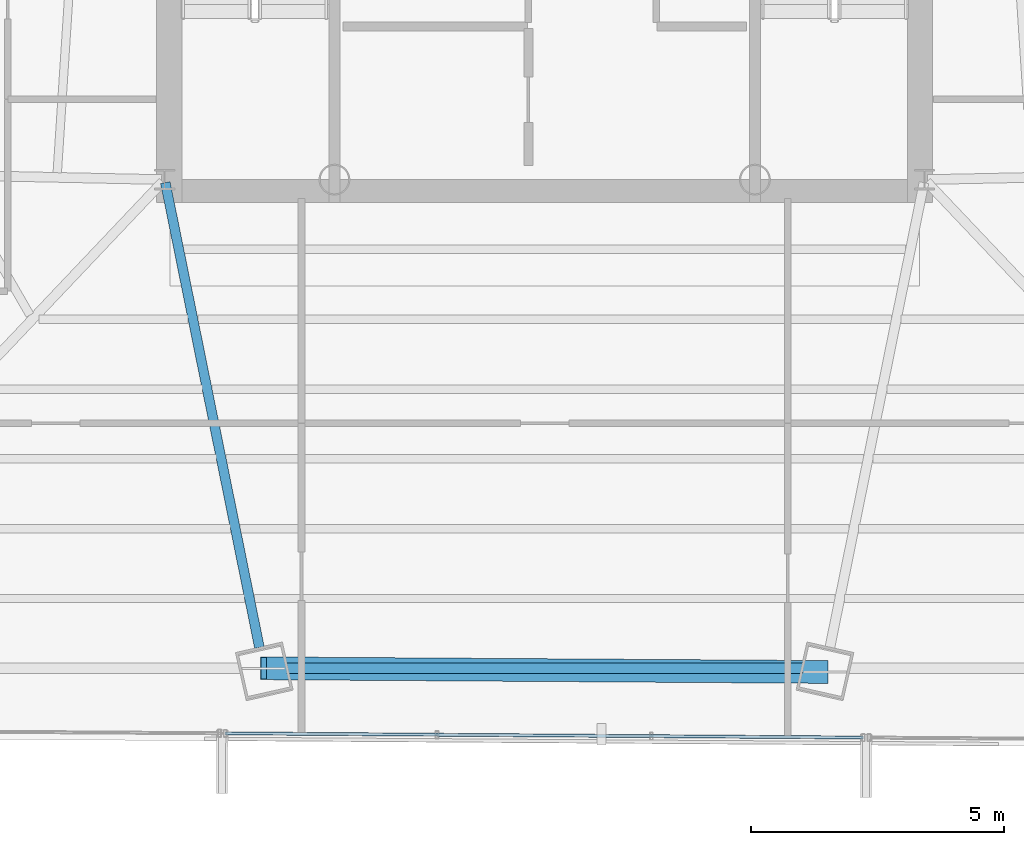
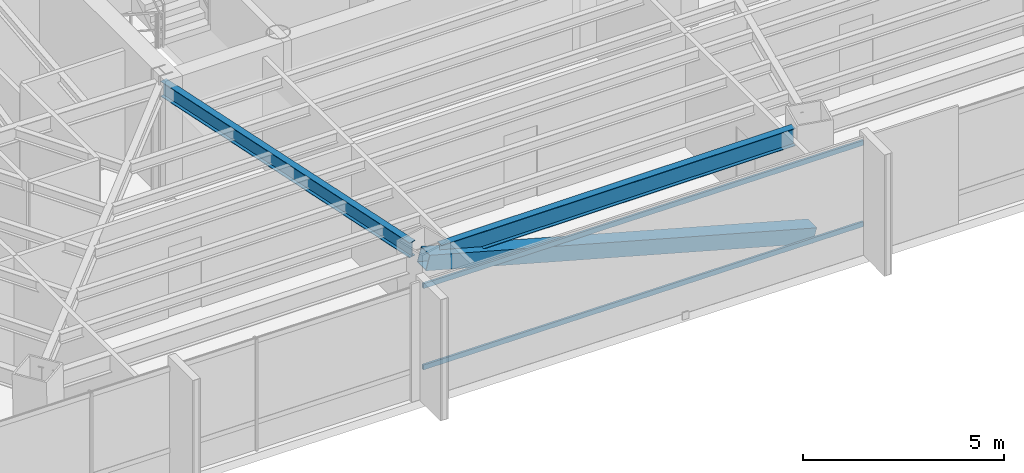
# One storey, part 9 of 41: 3 members, 2 beams, 1 element without a shape of its own.
"""IFC4 building model written with IfcOpenShell, lengths in metres."""

from ifc_helpers import new_model, si_unit, direction, frame, origin, origin_2d, place, context, subcontext, project, spatial, hollow_rectangle, i_section, extrude, source, transform, mapped, material, material_profile, profile_set, type_object, type_shapes, element, aggregate, save


model = new_model("IFC4")

# Units and contexts
model_context = context("Model", 3, precision=1e-05, world=origin(), true_north=direction((0.0, 1.0)))
body_context = subcontext(model_context, "Body", "Model", "MODEL_VIEW")
ifc_project = project(units=[si_unit("LENGTHUNIT", "METRE"), si_unit("AREAUNIT", "SQUARE_METRE"), si_unit("VOLUMEUNIT", "CUBIC_METRE"), si_unit("PLANEANGLEUNIT", "RADIAN"), si_unit("MASSUNIT", "GRAM", prefix="KILO")], contexts=[model_context])

# Site, building, storey
site_placement = place(None, origin())
site = spatial("IfcSite", under=ifc_project, at=site_placement, CompositionType="ELEMENT")
building_placement = place(site_placement, origin())
building = spatial("IfcBuilding", under=site, at=building_placement, Name="Caelisora Broadcast Tower", CompositionType="ELEMENT")
storey_placement = place(building_placement, frame((0.0, 0.0, 173.10009765625)))
storey = spatial("IfcBuildingStorey", under=building, at=storey_placement, Name="L45", CompositionType="ELEMENT", Elevation=173.10009765625)

# Beams
ifc_material_1 = material(Name="Steel Grade 350 (AS/NZS 3679.1)", Category="steel")
ifc_material_profile_1 = material_profile(ifc_material_1, i_section(OverallWidth=0.208984375, OverallDepth=0.532958984375, WebThickness=0.01025390625, FlangeThickness=0.015625, at=origin_2d()), Name="Steel Grade 350 (AS/NZS 3679.1)")
ifc_profile_set_1 = profile_set([ifc_material_profile_1], Name="Steel Grade 350 (AS/NZS 3679.1)")
beam_type_1 = type_object("IfcBeamType", Name="PG05", PredefinedType="BEAM", material=ifc_profile_set_1)
shared_shape_1 = source(origin(), body_context, "Body", "SweptSolid", [
    extrude(i_section(OverallWidth=0.208984375, OverallDepth=0.532958984375, WebThickness=0.01025390625, FlangeThickness=0.015625, at=origin_2d()), origin(), (0.0, 0.0, 1.0), 10.173828125),
])
type_shapes(beam_type_1, [shared_shape_1])
beam_1_placement = place(storey_placement, frame((32.9130859375, 7.75439453125, 3.13330078125), z_axis=(1.0, 0.0, 0.0), x_axis=(0.0, 1.0, 0.0)))
element("IfcBeam", 1, at=beam_1_placement, inside=storey, type_object=beam_type_1, Name="L45 beam PG05", PredefinedType="BEAM", context=body_context, shape_type="MappedRepresentation", body=[
    mapped(shared_shape_1, transform((0.0, 0.0, 0.0), scale=1.0)),
])
ifc_material_profile_2 = material_profile(ifc_material_1, i_section(OverallWidth=0.19091796875, OverallDepth=0.46044921875, WebThickness=0.010009765625, FlangeThickness=0.01611328125, at=origin_2d()), Name="Steel Grade 350 (AS/NZS 3679.1)")
ifc_profile_set_2 = profile_set([ifc_material_profile_2], Name="Steel Grade 350 (AS/NZS 3679.1)")
beam_type_2 = type_object("IfcBeamType", Name="PG06", PredefinedType="BEAM", material=ifc_profile_set_2)
shared_shape_2 = source(origin(), body_context, "Body", "SweptSolid", [
    extrude(i_section(OverallWidth=0.19091796875, OverallDepth=0.46044921875, WebThickness=0.010009765625, FlangeThickness=0.01611328125, at=origin_2d()), origin(), (0.0, 0.0, 1.0), 9.361572265625),
])
type_shapes(beam_type_2, [shared_shape_2])
beam_2_placement = place(storey_placement, frame((30.511962890625, 17.34130859375, 3.169677734375), z_axis=(0.198437648999, -0.980113513558, 0.0), x_axis=(0.980113513558, 0.198437648999, 0.0)))
element("IfcBeam", 2, at=beam_2_placement, inside=storey, type_object=beam_type_2, Name="L45 beam PG06", PredefinedType="BEAM", context=body_context, shape_type="MappedRepresentation", body=[
    mapped(shared_shape_2, transform((0.0, 0.0, 0.0), scale=1.0)),
])

# Member
ifc_material_2 = material(Name="Steel Grade 450 (AS/NZS 1163 C450L0)", Category="steel")
ifc_material_profile_3 = material_profile(ifc_material_2, hollow_rectangle(XDim=0.449951171875, YDim=0.449951171875, WallThickness=0.01611328125, at=origin_2d()), Name="Steel Grade 450 (AS/NZS 1163 C450L0)")
ifc_profile_set_3 = profile_set([ifc_material_profile_3], Name="Steel Grade 450 (AS/NZS 1163 C450L0)")
member_type_1 = type_object("IfcMemberType", Name="BR03", PredefinedType="BRACE", material=ifc_profile_set_3)
shared_shape_3 = source(origin(), body_context, "Body", "SweptSolid", [
    extrude(hollow_rectangle(XDim=0.449951171875, YDim=0.449951171875, WallThickness=0.01611328125, at=origin_2d()), origin(), (0.0, 0.0, 1.0), 11.47705078125),
])
type_shapes(member_type_1, [shared_shape_3])
member_1_placement = place(storey_placement, frame((32.452880859375, 7.75439453125, 3.099853515625), z_axis=(0.965212811353, -0.006317756583, -0.261389201673), x_axis=(0.006545314337, 0.999978579201, 0.0)))
element("IfcMember", 3, at=member_1_placement, inside=storey, type_object=member_type_1, Name="L45 perimeter brace BR03", PredefinedType="BRACE", context=body_context, shape_type="MappedRepresentation", body=[
    mapped(shared_shape_3, transform((0.0, 0.0, 0.0), scale=1.0)),
])

# Curtain wall, members
ifc_material_3 = material(Name="Unitised Aluminium Insulated Shadow-Box Spandrel Curtain Wall", Category="aluminium")
curtain_wall_type = type_object("IfcCurtainWallType", Name="CW-SP2", PredefinedType="NOTDEFINED", material=ifc_material_3)
curtain_wall_placement = place(storey_placement, origin())
curtain_wall = element("IfcCurtainWall", 4, at=curtain_wall_placement, inside=storey, type_object=curtain_wall_type, Name="L45 curtain wall CW-SP2", PredefinedType="NOTDEFINED")
ifc_material_4 = material(Name="Aluminium 6063-T6 Anodised Terracotta Bronze", Category="aluminium")
ifc_material_profile_4 = material_profile(ifc_material_4, hollow_rectangle(XDim=0.06005859375, YDim=0.14990234375, WallThickness=0.00341796875, at=origin_2d()), Name="Aluminium 6063-T6 Anodised Terracotta Bronze")
ifc_profile_set_4 = profile_set([ifc_material_profile_4], Name="Aluminium 6063-T6 Anodised Terracotta Bronze")
member_type_2 = type_object("IfcMemberType", Name="CWT-02", PredefinedType="USERDEFINED", material=ifc_profile_set_4)
shared_shape_4 = source(origin(), body_context, "Body", "SweptSolid", [
    extrude(hollow_rectangle(XDim=0.06005859375, YDim=0.14990234375, WallThickness=0.00341796875, at=origin_2d()), origin(), (0.0, 0.0, 1.0), 12.600830078125),
])
type_shapes(member_type_2, [shared_shape_4])
member_2_placement = place(storey_placement, frame((44.2919921875, 6.38720703125, 0.849853515625), z_axis=(-0.99997804636, 0.006626220489, 0.0), x_axis=(-0.006626220489, -0.99997804636, 0.0)))
member_2 = element("IfcMember", 5, at=member_2_placement, type_object=member_type_2, Name="L45-CW-B06 transom #1", ObjectType="TRANSOM", PredefinedType="USERDEFINED", context=body_context, shape_type="MappedRepresentation", body=[
    mapped(shared_shape_4, transform((0.0, 0.0, 0.0), scale=1.0)),
])
member_3_placement = place(storey_placement, frame((44.2919921875, 6.38720703125, 3.31982421875), z_axis=(-0.99997804636, 0.006626220489, 0.0), x_axis=(-0.006626220489, -0.99997804636, 0.0)))
member_3 = element("IfcMember", 6, at=member_3_placement, type_object=member_type_2, Name="L45-CW-B06 transom #2", ObjectType="TRANSOM", PredefinedType="USERDEFINED", context=body_context, shape_type="MappedRepresentation", body=[
    mapped(shared_shape_4, transform((0.0, 0.0, 0.0), scale=1.0)),
])
aggregate(curtain_wall, [member_2, member_3])

save(model, "model.ifc")
